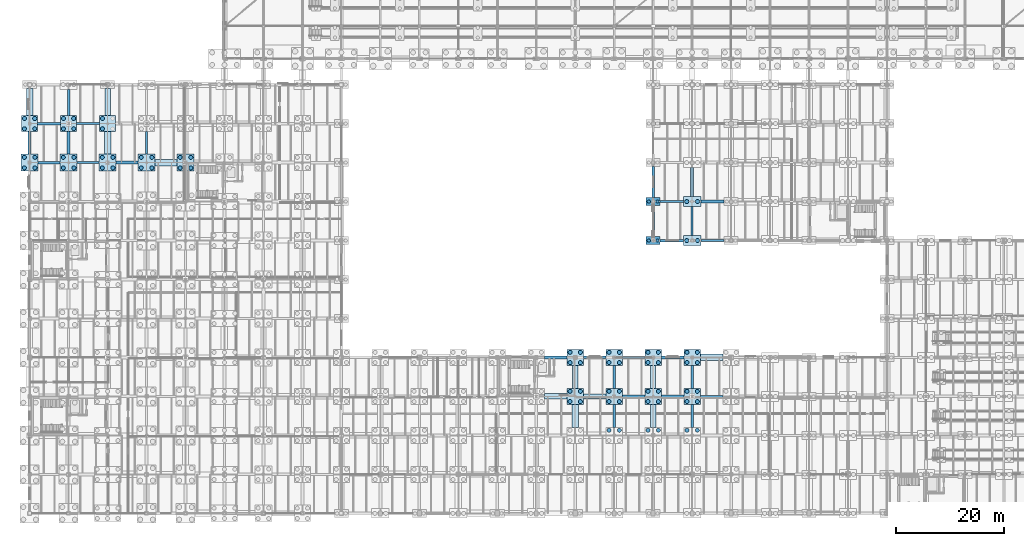
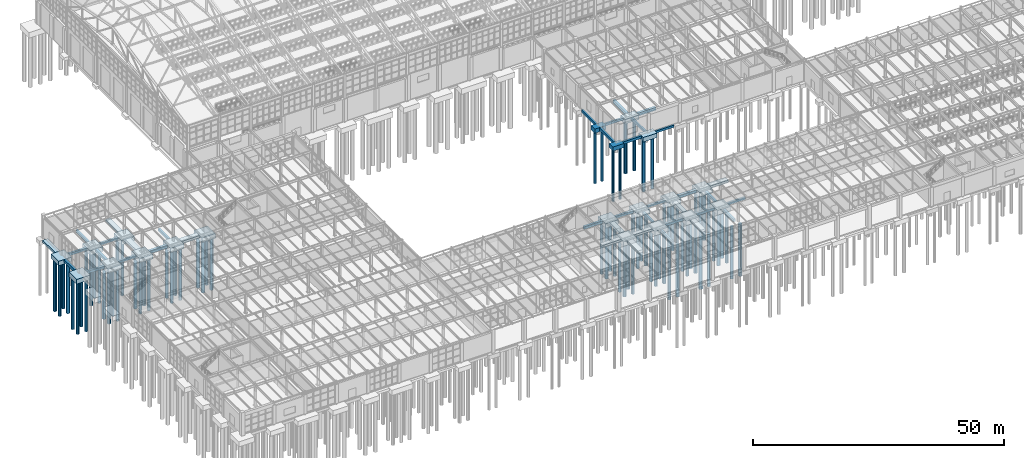
# One storey, part 6 of 293: 76 piles, 59 footings.
"""IFC4 building model written with IfcOpenShell, lengths in metres."""

from ifc_helpers import new_model, si_unit, direction, frame, origin, origin_2d, place, context, subcontext, project, spatial, rectangle, circle, extrude, material, material_profile, profile_set, type_object, element, save


model = new_model("IFC4")

# Units and contexts
model_context = context("Model", 3, precision=1e-05, world=origin(), true_north=direction((0.0, 1.0)))
body_context = subcontext(model_context, "Body", "Model", "MODEL_VIEW")
ifc_project = project(units=[si_unit("LENGTHUNIT", "METRE"), si_unit("AREAUNIT", "SQUARE_METRE"), si_unit("VOLUMEUNIT", "CUBIC_METRE"), si_unit("PLANEANGLEUNIT", "RADIAN"), si_unit("MASSUNIT", "GRAM", prefix="KILO")], contexts=[model_context])

# Site, building, storey
site_placement = place(None, origin())
site = spatial("IfcSite", under=ifc_project, at=site_placement, CompositionType="ELEMENT")
building_placement = place(site_placement, origin())
building = spatial("IfcBuilding", under=site, at=building_placement, Name="Kemerveld Promenade Tramway Depot", CompositionType="ELEMENT")
storey_placement = place(building_placement, origin())
storey = spatial("IfcBuildingStorey", under=building, at=storey_placement, Name="L00", CompositionType="ELEMENT", Elevation=0.0)

# Footings
ifc_material = material(Name="Concrete C35/45", Category="concrete")
footing_type_1 = type_object("IfcFootingType", Name="FT-GB01", PredefinedType="FOOTING_BEAM", material=ifc_material)
for number, where, z_axis, x_axis, name in (
    (1, (111.60009765625, 21.60009765625, -0.949951171875), (0.0, 0.0, 1.0), (1.0, 0.0, 0.0), "GBX-16-17-D"),
    (2, (97.199951171875, 28.800048828125, -0.949951171875), (0.0, 0.0, 1.0), (1.0, 0.0, 0.0), "GBX-14-15-E"),
):
    element("IfcFooting", number, at=place(storey_placement, frame(where, z_axis=z_axis, x_axis=x_axis)), inside=storey, type_object=footing_type_1, Name=name, PredefinedType="FOOTING_BEAM", context=body_context, shape_type="SweptSolid", body=[
        extrude(rectangle(XDim=4.199951171875, YDim=0.5, at=origin_2d()), origin(), (0.0, 0.0, 1.0), 0.64990234375),
    ])
footing_1_placement = place(storey_placement, frame((7.199951171875, 68.425048828125, -0.949951171875), z_axis=(0.0, 0.0, 1.0), x_axis=(0.0, 1.0, 0.0)))
element("IfcFooting", 3, at=footing_1_placement, inside=storey, type_object=footing_type_1, Name="GBY-02-K-L", PredefinedType="FOOTING_BEAM", context=body_context, shape_type="SweptSolid", body=[
    extrude(rectangle(XDim=4.14990234375, YDim=0.5, at=origin_2d()), origin(), (0.0, 0.0, 1.0), 0.64990234375),
])
footing_2_placement = place(storey_placement, frame((115.199951171875, 54.0, -0.949951171875), z_axis=(0.0, 0.0, 1.0), x_axis=(0.0, 1.0, 0.0)))
element("IfcFooting", 4, at=footing_2_placement, inside=storey, type_object=footing_type_1, Name="GBY-17-H-J", PredefinedType="FOOTING_BEAM", context=body_context, shape_type="SweptSolid", body=[
    extrude(rectangle(XDim=5.699951171875, YDim=0.5, at=origin_2d()), origin(), (0.0, 0.0, 1.0), 0.64990234375),
])
footing_3_placement = place(storey_placement, frame((122.39990234375, 18.0, -0.949951171875), z_axis=(0.0, 0.0, 1.0), x_axis=(0.0, 1.0, 0.0)))
element("IfcFooting", 5, at=footing_3_placement, inside=storey, type_object=footing_type_1, Name="GBY-18-C-D", PredefinedType="FOOTING_BEAM", context=body_context, shape_type="SweptSolid", body=[
    extrude(rectangle(XDim=4.199951171875, YDim=0.5, at=origin_2d()), origin(), (0.0, 0.0, 1.0), 0.64990234375),
])
footing_type_2 = type_object("IfcFootingType", Name="FT-GB02", PredefinedType="FOOTING_BEAM", material=ifc_material)
for number, where, z_axis, x_axis, name in (
    (6, (118.800048828125, 21.60009765625, -0.900146484375), (0.0, 0.0, 1.0), (1.0, 0.0, 0.0), "GBX-17-18-D"),
    (7, (104.39990234375, 28.800048828125, -0.900146484375), (0.0, 0.0, 1.0), (1.0, 0.0, 0.0), "GBX-15-16-E"),
):
    element("IfcFooting", number, at=place(storey_placement, frame(where, z_axis=z_axis, x_axis=x_axis)), inside=storey, type_object=footing_type_2, Name=name, PredefinedType="FOOTING_BEAM", context=body_context, shape_type="SweptSolid", body=[
        extrude(rectangle(XDim=4.199951171875, YDim=0.449951171875, at=origin_2d()), origin(), (0.0, 0.0, 1.0), 0.60009765625),
    ])
footing_4_placement = place(storey_placement, frame((118.64990234375, 50.39990234375, -0.900146484375), z_axis=(0.0, 0.0, 1.0), x_axis=(1.0, 0.0, 0.0)))
element("IfcFooting", 8, at=footing_4_placement, inside=storey, type_object=footing_type_2, Name="GBX-17-18-H", PredefinedType="FOOTING_BEAM", context=body_context, shape_type="SweptSolid", body=[
    extrude(rectangle(XDim=4.300048828125, YDim=0.449951171875, at=origin_2d()), origin(), (0.0, 0.0, 1.0), 0.60009765625),
])
footing_5_placement = place(storey_placement, frame((3.60009765625, 64.800048828125, -0.900146484375), z_axis=(0.0, 0.0, 1.0), x_axis=(1.0, 0.0, 0.0)))
element("IfcFooting", 9, at=footing_5_placement, inside=storey, type_object=footing_type_2, Name="GBX-01-02-K", PredefinedType="FOOTING_BEAM", context=body_context, shape_type="SweptSolid", body=[
    extrude(rectangle(XDim=4.10009765625, YDim=0.449951171875, at=origin_2d()), origin(), (0.0, 0.0, 1.0), 0.60009765625),
])
footing_6_placement = place(storey_placement, frame((3.60009765625, 72.0, -0.900146484375), z_axis=(0.0, 0.0, 1.0), x_axis=(1.0, 0.0, 0.0)))
element("IfcFooting", 10, at=footing_6_placement, inside=storey, type_object=footing_type_2, Name="GBX-01-02-L", PredefinedType="FOOTING_BEAM", context=body_context, shape_type="SweptSolid", body=[
    extrude(rectangle(XDim=4.199951171875, YDim=0.449951171875, at=origin_2d()), origin(), (0.0, 0.0, 1.0), 0.60009765625),
])
footing_7_placement = place(storey_placement, frame((7.199951171875, 75.89990234375, -0.900146484375), z_axis=(0.0, 0.0, 1.0), x_axis=(0.0, 1.0, 0.0)))
element("IfcFooting", 11, at=footing_7_placement, inside=storey, type_object=footing_type_2, Name="GBY-02-L-M", PredefinedType="FOOTING_BEAM", context=body_context, shape_type="SweptSolid", body=[
    extrude(rectangle(XDim=4.800048828125, YDim=0.449951171875, at=origin_2d()), origin(), (0.0, 0.0, 1.0), 0.60009765625),
])
footing_8_placement = place(storey_placement, frame((21.60009765625, 68.425048828125, -0.900146484375), z_axis=(0.0, 0.0, 1.0), x_axis=(0.0, 1.0, 0.0)))
element("IfcFooting", 12, at=footing_8_placement, inside=storey, type_object=footing_type_2, Name="GBY-04-K-L", PredefinedType="FOOTING_BEAM", context=body_context, shape_type="SweptSolid", body=[
    extrude(rectangle(XDim=4.14990234375, YDim=0.449951171875, at=origin_2d()), origin(), (0.0, 0.0, 1.0), 0.60009765625),
])
footing_9_placement = place(storey_placement, frame((108.0, 18.0, -0.900146484375), z_axis=(0.0, 0.0, 1.0), x_axis=(0.0, 1.0, 0.0)))
element("IfcFooting", 13, at=footing_9_placement, inside=storey, type_object=footing_type_2, Name="GBY-16-C-D", PredefinedType="FOOTING_BEAM", context=body_context, shape_type="SweptSolid", body=[
    extrude(rectangle(XDim=4.199951171875, YDim=0.449951171875, at=origin_2d()), origin(), (0.0, 0.0, 1.0), 0.60009765625),
])
footing_10_placement = place(storey_placement, frame((115.199951171875, 61.199951171875, -0.900146484375), z_axis=(0.0, 0.0, 1.0), x_axis=(0.0, 1.0, 0.0)))
element("IfcFooting", 14, at=footing_10_placement, inside=storey, type_object=footing_type_2, Name="GBY-17-J-K", PredefinedType="FOOTING_BEAM", context=body_context, shape_type="SweptSolid", body=[
    extrude(rectangle(XDim=5.699951171875, YDim=0.449951171875, at=origin_2d()), origin(), (0.0, 0.0, 1.0), 0.60009765625),
])
footing_11_placement = place(storey_placement, frame((122.39990234375, 25.199951171875, -0.900146484375), z_axis=(0.0, 0.0, 1.0), x_axis=(0.0, 1.0, 0.0)))
element("IfcFooting", 15, at=footing_11_placement, inside=storey, type_object=footing_type_2, Name="GBY-18-D-E", PredefinedType="FOOTING_BEAM", context=body_context, shape_type="SweptSolid", body=[
    extrude(rectangle(XDim=4.199951171875, YDim=0.449951171875, at=origin_2d()), origin(), (0.0, 0.0, 1.0), 0.60009765625),
])
footing_type_3 = type_object("IfcFootingType", Name="FT-GB03", PredefinedType="FOOTING_BEAM", material=ifc_material)
for number, where, z_axis, x_axis, name in (
    (16, (126.0, 21.60009765625, -0.85009765625), (0.0, 0.0, 1.0), (1.0, 0.0, 0.0), "GBX-18-19-D"),
    (17, (111.60009765625, 28.800048828125, -0.85009765625), (0.0, 0.0, 1.0), (1.0, 0.0, 0.0), "GBX-16-17-E"),
):
    element("IfcFooting", number, at=place(storey_placement, frame(where, z_axis=z_axis, x_axis=x_axis)), inside=storey, type_object=footing_type_3, Name=name, PredefinedType="FOOTING_BEAM", context=body_context, shape_type="SweptSolid", body=[
        extrude(rectangle(XDim=4.199951171875, YDim=0.39990234375, at=origin_2d()), origin(), (0.0, 0.0, 1.0), 0.550048828125),
    ])
for number, where, z_axis, x_axis, name in (
    (18, (126.14990234375, 50.39990234375, -0.85009765625), (0.0, 0.0, 1.0), (1.0, 0.0, 0.0), "GBX-18-19-H"),
    (19, (118.64990234375, 57.60009765625, -0.85009765625), (0.0, 0.0, 1.0), (1.0, 0.0, 0.0), "GBX-17-18-J"),
):
    element("IfcFooting", number, at=place(storey_placement, frame(where, z_axis=z_axis, x_axis=x_axis)), inside=storey, type_object=footing_type_3, Name=name, PredefinedType="FOOTING_BEAM", context=body_context, shape_type="SweptSolid", body=[
        extrude(rectangle(XDim=4.300048828125, YDim=0.39990234375, at=origin_2d()), origin(), (0.0, 0.0, 1.0), 0.550048828125),
    ])
footing_12_placement = place(storey_placement, frame((10.800048828125, 64.800048828125, -0.85009765625), z_axis=(0.0, 0.0, 1.0), x_axis=(1.0, 0.0, 0.0)))
element("IfcFooting", 20, at=footing_12_placement, inside=storey, type_object=footing_type_3, Name="GBX-02-03-K", PredefinedType="FOOTING_BEAM", context=body_context, shape_type="SweptSolid", body=[
    extrude(rectangle(XDim=4.10009765625, YDim=0.39990234375, at=origin_2d()), origin(), (0.0, 0.0, 1.0), 0.550048828125),
])
for number, where, z_axis, x_axis, name in (
    (21, (10.800048828125, 72.0, -0.85009765625), (0.0, 0.0, 1.0), (1.0, 0.0, 0.0), "GBX-02-03-L"),
    (22, (108.0, 25.199951171875, -0.85009765625), (0.0, 0.0, 1.0), (0.0, 1.0, 0.0), "GBY-16-D-E"),
):
    element("IfcFooting", number, at=place(storey_placement, frame(where, z_axis=z_axis, x_axis=x_axis)), inside=storey, type_object=footing_type_3, Name=name, PredefinedType="FOOTING_BEAM", context=body_context, shape_type="SweptSolid", body=[
        extrude(rectangle(XDim=4.199951171875, YDim=0.39990234375, at=origin_2d()), origin(), (0.0, 0.0, 1.0), 0.550048828125),
    ])
footing_13_placement = place(storey_placement, frame((122.39990234375, 54.0, -0.85009765625), z_axis=(0.0, 0.0, 1.0), x_axis=(0.0, 1.0, 0.0)))
element("IfcFooting", 23, at=footing_13_placement, inside=storey, type_object=footing_type_3, Name="GBY-18-H-J", PredefinedType="FOOTING_BEAM", context=body_context, shape_type="SweptSolid", body=[
    extrude(rectangle(XDim=5.39990234375, YDim=0.39990234375, at=origin_2d()), origin(), (0.0, 0.0, 1.0), 0.550048828125),
])
footing_type_4 = type_object("IfcFootingType", Name="FT-GB04", PredefinedType="FOOTING_BEAM", material=ifc_material)
footing_14_placement = place(storey_placement, frame((118.800048828125, 28.800048828125, -1.0), z_axis=(0.0, 0.0, 1.0), x_axis=(1.0, 0.0, 0.0)))
element("IfcFooting", 24, at=footing_14_placement, inside=storey, type_object=footing_type_4, Name="GBX-17-18-E", PredefinedType="FOOTING_BEAM", context=body_context, shape_type="SweptSolid", body=[
    extrude(rectangle(XDim=4.199951171875, YDim=0.550048828125, at=origin_2d()), origin(), (0.0, 0.0, 1.0), 0.699951171875),
])
footing_15_placement = place(storey_placement, frame((126.14990234375, 57.60009765625, -1.0), z_axis=(0.0, 0.0, 1.0), x_axis=(1.0, 0.0, 0.0)))
element("IfcFooting", 25, at=footing_15_placement, inside=storey, type_object=footing_type_4, Name="GBX-18-19-J", PredefinedType="FOOTING_BEAM", context=body_context, shape_type="SweptSolid", body=[
    extrude(rectangle(XDim=4.300048828125, YDim=0.550048828125, at=origin_2d()), origin(), (0.0, 0.0, 1.0), 0.699951171875),
])
footing_16_placement = place(storey_placement, frame((18.0, 64.800048828125, -1.0), z_axis=(0.0, 0.0, 1.0), x_axis=(1.0, 0.0, 0.0)))
element("IfcFooting", 26, at=footing_16_placement, inside=storey, type_object=footing_type_4, Name="GBX-03-04-K", PredefinedType="FOOTING_BEAM", context=body_context, shape_type="SweptSolid", body=[
    extrude(rectangle(XDim=4.10009765625, YDim=0.550048828125, at=origin_2d()), origin(), (0.0, 0.0, 1.0), 0.699951171875),
])
footing_17_placement = place(storey_placement, frame((0.0, 68.425048828125, -1.0), z_axis=(0.0, 0.0, 1.0), x_axis=(0.0, 1.0, 0.0)))
element("IfcFooting", 27, at=footing_17_placement, inside=storey, type_object=footing_type_4, Name="GBY-01-K-L", PredefinedType="FOOTING_BEAM", context=body_context, shape_type="SweptSolid", body=[
    extrude(rectangle(XDim=4.14990234375, YDim=0.550048828125, at=origin_2d()), origin(), (0.0, 0.0, 1.0), 0.699951171875),
])
footing_18_placement = place(storey_placement, frame((122.39990234375, 61.199951171875, -1.0), z_axis=(0.0, 0.0, 1.0), x_axis=(0.0, 1.0, 0.0)))
element("IfcFooting", 28, at=footing_18_placement, inside=storey, type_object=footing_type_4, Name="GBY-18-J-K", PredefinedType="FOOTING_BEAM", context=body_context, shape_type="SweptSolid", body=[
    extrude(rectangle(XDim=5.39990234375, YDim=0.550048828125, at=origin_2d()), origin(), (0.0, 0.0, 1.0), 0.699951171875),
])
footing_type_5 = type_object("IfcFootingType", Name="FT-PC04", PredefinedType="PILE_CAP", material=ifc_material)
for number, where, z_axis, x_axis, name in (
    (29, (0.0, 64.800048828125, -1.449951171875), (0.0, 0.0, 1.0), (1.0, 0.0, 0.0), "FT-01-K"),
    (30, (7.199951171875, 64.800048828125, -1.449951171875), (0.0, 0.0, 1.0), (1.0, 0.0, 0.0), "FT-02-K"),
    (31, (14.39990234375, 64.800048828125, -1.449951171875), (0.0, 0.0, 1.0), (1.0, 0.0, 0.0), "FT-03-K"),
    (32, (21.60009765625, 64.800048828125, -1.449951171875), (0.0, 0.0, 1.0), (1.0, 0.0, 0.0), "FT-04-K"),
    (33, (28.800048828125, 64.800048828125, -1.449951171875), (0.0, 0.0, 1.0), (1.0, 0.0, 0.0), "FT-05-K"),
):
    element("IfcFooting", number, at=place(storey_placement, frame(where, z_axis=z_axis, x_axis=x_axis)), inside=storey, type_object=footing_type_5, Name=name, PredefinedType="PILE_CAP", context=body_context, shape_type="SweptSolid", body=[
        extrude(rectangle(XDim=3.10009765625, YDim=3.10009765625, at=origin_2d()), origin(), (0.0, 0.0, 1.0), 1.14990234375),
    ])
footing_type_6 = type_object("IfcFootingType", Name="FT-PC05", PredefinedType="PILE_CAP", material=ifc_material)
for number, where, z_axis, x_axis, name in (
    (34, (0.0, 72.0, -1.400146484375), (0.0, 0.0, 1.0), (1.0, 0.0, 0.0), "FT-01-L"),
    (35, (7.199951171875, 72.0, -1.400146484375), (0.0, 0.0, 1.0), (1.0, 0.0, 0.0), "FT-02-L"),
    (36, (14.39990234375, 72.0, -1.400146484375), (0.0, 0.0, 1.0), (1.0, 0.0, 0.0), "FT-03-L"),
    (37, (100.800048828125, 21.60009765625, -1.400146484375), (0.0, 0.0, 1.0), (1.0, 0.0, 0.0), "FT-15-D"),
    (38, (100.800048828125, 28.800048828125, -1.400146484375), (0.0, 0.0, 1.0), (1.0, 0.0, 0.0), "FT-15-E"),
    (39, (108.0, 21.60009765625, -1.400146484375), (0.0, 0.0, 1.0), (1.0, 0.0, 0.0), "FT-16-D"),
    (40, (108.0, 28.800048828125, -1.400146484375), (0.0, 0.0, 1.0), (1.0, 0.0, 0.0), "FT-16-E"),
    (41, (115.199951171875, 21.60009765625, -1.400146484375), (0.0, 0.0, 1.0), (1.0, 0.0, 0.0), "FT-17-D"),
    (42, (115.199951171875, 28.800048828125, -1.400146484375), (0.0, 0.0, 1.0), (1.0, 0.0, 0.0), "FT-17-E"),
    (43, (122.39990234375, 21.60009765625, -1.400146484375), (0.0, 0.0, 1.0), (1.0, 0.0, 0.0), "FT-18-D"),
    (44, (122.39990234375, 28.800048828125, -1.400146484375), (0.0, 0.0, 1.0), (1.0, 0.0, 0.0), "FT-18-E"),
):
    element("IfcFooting", number, at=place(storey_placement, frame(where, z_axis=z_axis, x_axis=x_axis)), inside=storey, type_object=footing_type_6, Name=name, PredefinedType="PILE_CAP", context=body_context, shape_type="SweptSolid", body=[
        extrude(rectangle(XDim=3.0, YDim=3.0, at=origin_2d()), origin(), (0.0, 0.0, 1.0), 1.10009765625),
    ])
footing_type_7 = type_object("IfcFootingType", Name="FT-PC06", PredefinedType="PILE_CAP", material=ifc_material)
for number, where, z_axis, x_axis, name in (
    (45, (122.39990234375, 50.39990234375, -1.400146484375), (0.0, 0.0, 1.0), (1.0, 0.0, 0.0), "FT-18-H"),
    (46, (122.39990234375, 57.60009765625, -1.400146484375), (0.0, 0.0, 1.0), (1.0, 0.0, 0.0), "FT-18-J"),
):
    element("IfcFooting", number, at=place(storey_placement, frame(where, z_axis=z_axis, x_axis=x_axis)), inside=storey, type_object=footing_type_7, Name=name, PredefinedType="PILE_CAP", context=body_context, shape_type="SweptSolid", body=[
        extrude(rectangle(XDim=3.199951171875, YDim=1.800048828125, at=origin_2d()), origin(), (0.0, 0.0, 1.0), 1.10009765625),
    ])
footing_type_8 = type_object("IfcFootingType", Name="FT-PC08", PredefinedType="PILE_CAP", material=ifc_material)
for number, where, z_axis, x_axis, name in (
    (47, (115.199951171875, 50.39990234375, -1.300048828125), (0.0, 0.0, 1.0), (1.0, 0.0, 0.0), "FT-17-H"),
    (48, (115.199951171875, 57.60009765625, -1.300048828125), (0.0, 0.0, 1.0), (1.0, 0.0, 0.0), "FT-17-J"),
):
    element("IfcFooting", number, at=place(storey_placement, frame(where, z_axis=z_axis, x_axis=x_axis)), inside=storey, type_object=footing_type_8, Name=name, PredefinedType="PILE_CAP", context=body_context, shape_type="SweptSolid", body=[
        extrude(rectangle(XDim=2.60009765625, YDim=1.5, at=origin_2d()), origin(), (0.0, 0.0, 1.0), 1.0),
    ])
footing_type_9 = type_object("IfcFootingType", Name="FT-SF01", PredefinedType="STRIP_FOOTING", material=ifc_material)
footing_19_placement = place(storey_placement, frame((126.0, 28.800048828125, -0.900146484375), z_axis=(0.0, 0.0, 1.0), x_axis=(1.0, 0.0, 0.0)))
element("IfcFooting", 49, at=footing_19_placement, inside=storey, type_object=footing_type_9, Name="GBX-18-19-E", PredefinedType="STRIP_FOOTING", context=body_context, shape_type="SweptSolid", body=[
    extrude(rectangle(XDim=4.199951171875, YDim=1.199951171875, at=origin_2d()), origin(), (0.0, 0.0, 1.0), 0.60009765625),
])
footing_20_placement = place(storey_placement, frame((25.199951171875, 64.800048828125, -0.900146484375), z_axis=(0.0, 0.0, 1.0), x_axis=(1.0, 0.0, 0.0)))
element("IfcFooting", 50, at=footing_20_placement, inside=storey, type_object=footing_type_9, Name="GBX-04-05-K", PredefinedType="STRIP_FOOTING", context=body_context, shape_type="SweptSolid", body=[
    extrude(rectangle(XDim=4.10009765625, YDim=1.199951171875, at=origin_2d()), origin(), (0.0, 0.0, 1.0), 0.60009765625),
])
footing_21_placement = place(storey_placement, frame((0.0, 75.97509765625, -0.900146484375), z_axis=(0.0, 0.0, 1.0), x_axis=(0.0, 1.0, 0.0)))
element("IfcFooting", 51, at=footing_21_placement, inside=storey, type_object=footing_type_9, Name="GBY-01-L-M", PredefinedType="STRIP_FOOTING", context=body_context, shape_type="SweptSolid", body=[
    extrude(rectangle(XDim=4.949951171875, YDim=1.199951171875, at=origin_2d()), origin(), (0.0, 0.0, 1.0), 0.60009765625),
])
footing_22_placement = place(storey_placement, frame((14.39990234375, 68.425048828125, -0.900146484375), z_axis=(0.0, 0.0, 1.0), x_axis=(0.0, 1.0, 0.0)))
element("IfcFooting", 52, at=footing_22_placement, inside=storey, type_object=footing_type_9, Name="GBY-03-K-L", PredefinedType="STRIP_FOOTING", context=body_context, shape_type="SweptSolid", body=[
    extrude(rectangle(XDim=4.14990234375, YDim=1.199951171875, at=origin_2d()), origin(), (0.0, 0.0, 1.0), 0.60009765625),
])
footing_23_placement = place(storey_placement, frame((100.800048828125, 18.0, -0.900146484375), z_axis=(0.0, 0.0, 1.0), x_axis=(0.0, 1.0, 0.0)))
element("IfcFooting", 53, at=footing_23_placement, inside=storey, type_object=footing_type_9, Name="GBY-15-C-D", PredefinedType="STRIP_FOOTING", context=body_context, shape_type="SweptSolid", body=[
    extrude(rectangle(XDim=4.199951171875, YDim=1.199951171875, at=origin_2d()), origin(), (0.0, 0.0, 1.0), 0.60009765625),
])
footing_type_10 = type_object("IfcFootingType", Name="FT-SF02", PredefinedType="STRIP_FOOTING", material=ifc_material)
footing_24_placement = place(storey_placement, frame((97.199951171875, 21.60009765625, -0.85009765625), z_axis=(0.0, 0.0, 1.0), x_axis=(1.0, 0.0, 0.0)))
element("IfcFooting", 54, at=footing_24_placement, inside=storey, type_object=footing_type_10, Name="GBX-14-15-D", PredefinedType="STRIP_FOOTING", context=body_context, shape_type="SweptSolid", body=[
    extrude(rectangle(XDim=4.199951171875, YDim=1.0, at=origin_2d()), origin(), (0.0, 0.0, 1.0), 0.550048828125),
])
footing_25_placement = place(storey_placement, frame((14.39990234375, 75.97509765625, -0.85009765625), z_axis=(0.0, 0.0, 1.0), x_axis=(0.0, 1.0, 0.0)))
element("IfcFooting", 55, at=footing_25_placement, inside=storey, type_object=footing_type_10, Name="GBY-03-L-M", PredefinedType="STRIP_FOOTING", context=body_context, shape_type="SweptSolid", body=[
    extrude(rectangle(XDim=4.949951171875, YDim=1.0, at=origin_2d()), origin(), (0.0, 0.0, 1.0), 0.550048828125),
])
for number, where, z_axis, x_axis, name in (
    (56, (100.800048828125, 25.199951171875, -0.85009765625), (0.0, 0.0, 1.0), (0.0, 1.0, 0.0), "GBY-15-D-E"),
    (57, (115.199951171875, 18.0, -0.85009765625), (0.0, 0.0, 1.0), (0.0, 1.0, 0.0), "GBY-17-C-D"),
):
    element("IfcFooting", number, at=place(storey_placement, frame(where, z_axis=z_axis, x_axis=x_axis)), inside=storey, type_object=footing_type_10, Name=name, PredefinedType="STRIP_FOOTING", context=body_context, shape_type="SweptSolid", body=[
        extrude(rectangle(XDim=4.199951171875, YDim=1.0, at=origin_2d()), origin(), (0.0, 0.0, 1.0), 0.550048828125),
    ])
footing_type_11 = type_object("IfcFootingType", Name="FT-SF03", PredefinedType="STRIP_FOOTING", material=ifc_material)
for number, where, z_axis, x_axis, name in (
    (58, (104.39990234375, 21.60009765625, -0.800048828125), (0.0, 0.0, 1.0), (1.0, 0.0, 0.0), "GBX-15-16-D"),
    (59, (115.199951171875, 25.199951171875, -0.800048828125), (0.0, 0.0, 1.0), (0.0, 1.0, 0.0), "GBY-17-D-E"),
):
    element("IfcFooting", number, at=place(storey_placement, frame(where, z_axis=z_axis, x_axis=x_axis)), inside=storey, type_object=footing_type_11, Name=name, PredefinedType="STRIP_FOOTING", context=body_context, shape_type="SweptSolid", body=[
        extrude(rectangle(XDim=4.199951171875, YDim=0.89990234375, at=origin_2d()), origin(), (0.0, 0.0, 1.0), 0.5),
    ])

# Piles
ifc_material_profile_1 = material_profile(ifc_material, circle(Radius=0.300048828125, at=origin_2d()), Name="PILE-D600")
ifc_profile_set_1 = profile_set([ifc_material_profile_1], Name="Concrete C35/45")
pile_type_1 = type_object("IfcPileType", Name="PL-BOR-600", PredefinedType="BORED", material=ifc_profile_set_1)
for number, where, z_axis, x_axis, name in (
    (60, (114.39990234375, 50.39990234375, -1.199951171875), (0.0, 0.0, -1.0), (1.0, 0.0, 0.0), "PIL-17-H-1"),
    (61, (116.0, 50.39990234375, -1.199951171875), (0.0, 0.0, -1.0), (1.0, 0.0, 0.0), "PIL-17-H-2"),
    (62, (114.39990234375, 57.60009765625, -1.199951171875), (0.0, 0.0, -1.0), (1.0, 0.0, 0.0), "PIL-17-J-1"),
    (63, (116.0, 57.60009765625, -1.199951171875), (0.0, 0.0, -1.0), (1.0, 0.0, 0.0), "PIL-17-J-2"),
):
    element("IfcPile", number, at=place(storey_placement, frame(where, z_axis=z_axis, x_axis=x_axis)), inside=storey, type_object=pile_type_1, Name=name, PredefinedType="BORED", context=body_context, shape_type="SweptSolid", body=[
        extrude(circle(Radius=0.300048828125, at=origin_2d()), origin(), (0.0, 0.0, 1.0), 12.800048828125),
    ])
ifc_material_profile_2 = material_profile(ifc_material, circle(Radius=0.375, at=origin_2d()), Name="PILE-D750")
ifc_profile_set_2 = profile_set([ifc_material_profile_2], Name="Concrete C35/45")
pile_type_2 = type_object("IfcPileType", Name="PL-BOR-750", PredefinedType="BORED", material=ifc_profile_set_2)
for number, where, z_axis, x_axis, name in (
    (64, (-0.97509765625, 63.824951171875, -1.35009765625), (0.0, 0.0, -1.0), (1.0, 0.0, 0.0), "PIL-01-K-1"),
    (65, (0.97509765625, 63.824951171875, -1.35009765625), (0.0, 0.0, -1.0), (1.0, 0.0, 0.0), "PIL-01-K-2"),
    (66, (-0.97509765625, 65.77490234375, -1.35009765625), (0.0, 0.0, -1.0), (1.0, 0.0, 0.0), "PIL-01-K-3"),
    (67, (0.97509765625, 65.77490234375, -1.35009765625), (0.0, 0.0, -1.0), (1.0, 0.0, 0.0), "PIL-01-K-4"),
):
    element("IfcPile", number, at=place(storey_placement, frame(where, z_axis=z_axis, x_axis=x_axis)), inside=storey, type_object=pile_type_2, Name=name, PredefinedType="BORED", context=body_context, shape_type="SweptSolid", body=[
        extrude(circle(Radius=0.375, at=origin_2d()), origin(), (0.0, 0.0, 1.0), 12.64990234375),
    ])
for number, where, z_axis, x_axis, name in (
    (68, (-0.949951171875, 71.050048828125, -1.300048828125), (0.0, 0.0, -1.0), (1.0, 0.0, 0.0), "PIL-01-L-1"),
    (69, (0.949951171875, 71.050048828125, -1.300048828125), (0.0, 0.0, -1.0), (1.0, 0.0, 0.0), "PIL-01-L-2"),
    (70, (-0.949951171875, 72.949951171875, -1.300048828125), (0.0, 0.0, -1.0), (1.0, 0.0, 0.0), "PIL-01-L-3"),
    (71, (0.949951171875, 72.949951171875, -1.300048828125), (0.0, 0.0, -1.0), (1.0, 0.0, 0.0), "PIL-01-L-4"),
):
    element("IfcPile", number, at=place(storey_placement, frame(where, z_axis=z_axis, x_axis=x_axis)), inside=storey, type_object=pile_type_2, Name=name, PredefinedType="BORED", context=body_context, shape_type="SweptSolid", body=[
        extrude(circle(Radius=0.375, at=origin_2d()), origin(), (0.0, 0.0, 1.0), 12.699951171875),
    ])
for number, where, z_axis, x_axis, name in (
    (72, (6.22509765625, 63.824951171875, -1.35009765625), (0.0, 0.0, -1.0), (1.0, 0.0, 0.0), "PIL-02-K-1"),
    (73, (8.175048828125, 63.824951171875, -1.35009765625), (0.0, 0.0, -1.0), (1.0, 0.0, 0.0), "PIL-02-K-2"),
    (74, (6.22509765625, 65.77490234375, -1.35009765625), (0.0, 0.0, -1.0), (1.0, 0.0, 0.0), "PIL-02-K-3"),
    (75, (8.175048828125, 65.77490234375, -1.35009765625), (0.0, 0.0, -1.0), (1.0, 0.0, 0.0), "PIL-02-K-4"),
):
    element("IfcPile", number, at=place(storey_placement, frame(where, z_axis=z_axis, x_axis=x_axis)), inside=storey, type_object=pile_type_2, Name=name, PredefinedType="BORED", context=body_context, shape_type="SweptSolid", body=[
        extrude(circle(Radius=0.375, at=origin_2d()), origin(), (0.0, 0.0, 1.0), 12.64990234375),
    ])
for number, where, z_axis, x_axis, name in (
    (76, (6.25, 71.050048828125, -1.300048828125), (0.0, 0.0, -1.0), (1.0, 0.0, 0.0), "PIL-02-L-1"),
    (77, (8.14990234375, 71.050048828125, -1.300048828125), (0.0, 0.0, -1.0), (1.0, 0.0, 0.0), "PIL-02-L-2"),
    (78, (6.25, 72.949951171875, -1.300048828125), (0.0, 0.0, -1.0), (1.0, 0.0, 0.0), "PIL-02-L-3"),
    (79, (8.14990234375, 72.949951171875, -1.300048828125), (0.0, 0.0, -1.0), (1.0, 0.0, 0.0), "PIL-02-L-4"),
):
    element("IfcPile", number, at=place(storey_placement, frame(where, z_axis=z_axis, x_axis=x_axis)), inside=storey, type_object=pile_type_2, Name=name, PredefinedType="BORED", context=body_context, shape_type="SweptSolid", body=[
        extrude(circle(Radius=0.375, at=origin_2d()), origin(), (0.0, 0.0, 1.0), 12.699951171875),
    ])
for number, where, z_axis, x_axis, name in (
    (80, (13.425048828125, 63.824951171875, -1.35009765625), (0.0, 0.0, -1.0), (1.0, 0.0, 0.0), "PIL-03-K-1"),
    (81, (15.375, 63.824951171875, -1.35009765625), (0.0, 0.0, -1.0), (1.0, 0.0, 0.0), "PIL-03-K-2"),
    (82, (13.425048828125, 65.77490234375, -1.35009765625), (0.0, 0.0, -1.0), (1.0, 0.0, 0.0), "PIL-03-K-3"),
    (83, (15.375, 65.77490234375, -1.35009765625), (0.0, 0.0, -1.0), (1.0, 0.0, 0.0), "PIL-03-K-4"),
):
    element("IfcPile", number, at=place(storey_placement, frame(where, z_axis=z_axis, x_axis=x_axis)), inside=storey, type_object=pile_type_2, Name=name, PredefinedType="BORED", context=body_context, shape_type="SweptSolid", body=[
        extrude(circle(Radius=0.375, at=origin_2d()), origin(), (0.0, 0.0, 1.0), 12.64990234375),
    ])
for number, where, z_axis, x_axis, name in (
    (84, (13.449951171875, 71.050048828125, -1.300048828125), (0.0, 0.0, -1.0), (1.0, 0.0, 0.0), "PIL-03-L-1"),
    (85, (13.449951171875, 72.949951171875, -1.300048828125), (0.0, 0.0, -1.0), (1.0, 0.0, 0.0), "PIL-03-L-3"),
):
    element("IfcPile", number, at=place(storey_placement, frame(where, z_axis=z_axis, x_axis=x_axis)), inside=storey, type_object=pile_type_2, Name=name, PredefinedType="BORED", context=body_context, shape_type="SweptSolid", body=[
        extrude(circle(Radius=0.375, at=origin_2d()), origin(), (0.0, 0.0, 1.0), 12.699951171875),
    ])
for number, where, z_axis, x_axis, name in (
    (86, (20.625, 63.824951171875, -1.35009765625), (0.0, 0.0, -1.0), (1.0, 0.0, 0.0), "PIL-04-K-1"),
    (87, (22.574951171875, 63.824951171875, -1.35009765625), (0.0, 0.0, -1.0), (1.0, 0.0, 0.0), "PIL-04-K-2"),
    (88, (20.625, 65.77490234375, -1.35009765625), (0.0, 0.0, -1.0), (1.0, 0.0, 0.0), "PIL-04-K-3"),
    (89, (22.574951171875, 65.77490234375, -1.35009765625), (0.0, 0.0, -1.0), (1.0, 0.0, 0.0), "PIL-04-K-4"),
    (90, (27.824951171875, 63.824951171875, -1.35009765625), (0.0, 0.0, -1.0), (1.0, 0.0, 0.0), "PIL-05-K-1"),
    (91, (29.77490234375, 63.824951171875, -1.35009765625), (0.0, 0.0, -1.0), (1.0, 0.0, 0.0), "PIL-05-K-2"),
    (92, (27.824951171875, 65.77490234375, -1.35009765625), (0.0, 0.0, -1.0), (1.0, 0.0, 0.0), "PIL-05-K-3"),
    (93, (29.77490234375, 65.77490234375, -1.35009765625), (0.0, 0.0, -1.0), (1.0, 0.0, 0.0), "PIL-05-K-4"),
):
    element("IfcPile", number, at=place(storey_placement, frame(where, z_axis=z_axis, x_axis=x_axis)), inside=storey, type_object=pile_type_2, Name=name, PredefinedType="BORED", context=body_context, shape_type="SweptSolid", body=[
        extrude(circle(Radius=0.375, at=origin_2d()), origin(), (0.0, 0.0, 1.0), 12.64990234375),
    ])
for number, where, z_axis, x_axis, name in (
    (94, (99.85009765625, 20.64990234375, -1.300048828125), (0.0, 0.0, -1.0), (1.0, 0.0, 0.0), "PIL-15-D-1"),
    (95, (101.75, 20.64990234375, -1.300048828125), (0.0, 0.0, -1.0), (1.0, 0.0, 0.0), "PIL-15-D-2"),
    (96, (99.85009765625, 22.550048828125, -1.300048828125), (0.0, 0.0, -1.0), (1.0, 0.0, 0.0), "PIL-15-D-3"),
    (97, (101.75, 22.550048828125, -1.300048828125), (0.0, 0.0, -1.0), (1.0, 0.0, 0.0), "PIL-15-D-4"),
    (98, (99.85009765625, 27.85009765625, -1.300048828125), (0.0, 0.0, -1.0), (1.0, 0.0, 0.0), "PIL-15-E-1"),
    (99, (101.75, 27.85009765625, -1.300048828125), (0.0, 0.0, -1.0), (1.0, 0.0, 0.0), "PIL-15-E-2"),
    (100, (99.85009765625, 29.75, -1.300048828125), (0.0, 0.0, -1.0), (1.0, 0.0, 0.0), "PIL-15-E-3"),
    (101, (101.75, 29.75, -1.300048828125), (0.0, 0.0, -1.0), (1.0, 0.0, 0.0), "PIL-15-E-4"),
    (102, (107.050048828125, 15.35009765625, -1.300048828125), (0.0, 0.0, -1.0), (1.0, 0.0, 0.0), "PIL-16-C-3"),
    (103, (108.949951171875, 15.35009765625, -1.300048828125), (0.0, 0.0, -1.0), (1.0, 0.0, 0.0), "PIL-16-C-4"),
    (104, (107.050048828125, 20.64990234375, -1.300048828125), (0.0, 0.0, -1.0), (1.0, 0.0, 0.0), "PIL-16-D-1"),
    (105, (108.949951171875, 20.64990234375, -1.300048828125), (0.0, 0.0, -1.0), (1.0, 0.0, 0.0), "PIL-16-D-2"),
    (106, (107.050048828125, 22.550048828125, -1.300048828125), (0.0, 0.0, -1.0), (1.0, 0.0, 0.0), "PIL-16-D-3"),
    (107, (108.949951171875, 22.550048828125, -1.300048828125), (0.0, 0.0, -1.0), (1.0, 0.0, 0.0), "PIL-16-D-4"),
    (108, (107.050048828125, 27.85009765625, -1.300048828125), (0.0, 0.0, -1.0), (1.0, 0.0, 0.0), "PIL-16-E-1"),
    (109, (108.949951171875, 27.85009765625, -1.300048828125), (0.0, 0.0, -1.0), (1.0, 0.0, 0.0), "PIL-16-E-2"),
    (110, (107.050048828125, 29.75, -1.300048828125), (0.0, 0.0, -1.0), (1.0, 0.0, 0.0), "PIL-16-E-3"),
    (111, (108.949951171875, 29.75, -1.300048828125), (0.0, 0.0, -1.0), (1.0, 0.0, 0.0), "PIL-16-E-4"),
    (112, (114.25, 15.35009765625, -1.300048828125), (0.0, 0.0, -1.0), (1.0, 0.0, 0.0), "PIL-17-C-3"),
    (113, (116.14990234375, 15.35009765625, -1.300048828125), (0.0, 0.0, -1.0), (1.0, 0.0, 0.0), "PIL-17-C-4"),
    (114, (114.25, 20.64990234375, -1.300048828125), (0.0, 0.0, -1.0), (1.0, 0.0, 0.0), "PIL-17-D-1"),
    (115, (116.14990234375, 20.64990234375, -1.300048828125), (0.0, 0.0, -1.0), (1.0, 0.0, 0.0), "PIL-17-D-2"),
    (116, (114.25, 22.550048828125, -1.300048828125), (0.0, 0.0, -1.0), (1.0, 0.0, 0.0), "PIL-17-D-3"),
    (117, (116.14990234375, 22.550048828125, -1.300048828125), (0.0, 0.0, -1.0), (1.0, 0.0, 0.0), "PIL-17-D-4"),
    (118, (114.25, 27.85009765625, -1.300048828125), (0.0, 0.0, -1.0), (1.0, 0.0, 0.0), "PIL-17-E-1"),
    (119, (116.14990234375, 27.85009765625, -1.300048828125), (0.0, 0.0, -1.0), (1.0, 0.0, 0.0), "PIL-17-E-2"),
    (120, (114.25, 29.75, -1.300048828125), (0.0, 0.0, -1.0), (1.0, 0.0, 0.0), "PIL-17-E-3"),
    (121, (116.14990234375, 29.75, -1.300048828125), (0.0, 0.0, -1.0), (1.0, 0.0, 0.0), "PIL-17-E-4"),
    (122, (121.449951171875, 15.35009765625, -1.300048828125), (0.0, 0.0, -1.0), (1.0, 0.0, 0.0), "PIL-18-C-3"),
    (123, (123.35009765625, 15.35009765625, -1.300048828125), (0.0, 0.0, -1.0), (1.0, 0.0, 0.0), "PIL-18-C-4"),
    (124, (121.449951171875, 20.64990234375, -1.300048828125), (0.0, 0.0, -1.0), (1.0, 0.0, 0.0), "PIL-18-D-1"),
    (125, (123.35009765625, 20.64990234375, -1.300048828125), (0.0, 0.0, -1.0), (1.0, 0.0, 0.0), "PIL-18-D-2"),
    (126, (121.449951171875, 22.550048828125, -1.300048828125), (0.0, 0.0, -1.0), (1.0, 0.0, 0.0), "PIL-18-D-3"),
    (127, (123.35009765625, 22.550048828125, -1.300048828125), (0.0, 0.0, -1.0), (1.0, 0.0, 0.0), "PIL-18-D-4"),
    (128, (121.449951171875, 27.85009765625, -1.300048828125), (0.0, 0.0, -1.0), (1.0, 0.0, 0.0), "PIL-18-E-1"),
    (129, (123.35009765625, 27.85009765625, -1.300048828125), (0.0, 0.0, -1.0), (1.0, 0.0, 0.0), "PIL-18-E-2"),
    (130, (121.449951171875, 29.75, -1.300048828125), (0.0, 0.0, -1.0), (1.0, 0.0, 0.0), "PIL-18-E-3"),
    (131, (123.35009765625, 29.75, -1.300048828125), (0.0, 0.0, -1.0), (1.0, 0.0, 0.0), "PIL-18-E-4"),
    (132, (121.39990234375, 50.39990234375, -1.300048828125), (0.0, 0.0, -1.0), (1.0, 0.0, 0.0), "PIL-18-H-1"),
    (133, (123.39990234375, 50.39990234375, -1.300048828125), (0.0, 0.0, -1.0), (1.0, 0.0, 0.0), "PIL-18-H-2"),
    (134, (121.39990234375, 57.60009765625, -1.300048828125), (0.0, 0.0, -1.0), (1.0, 0.0, 0.0), "PIL-18-J-1"),
    (135, (123.39990234375, 57.60009765625, -1.300048828125), (0.0, 0.0, -1.0), (1.0, 0.0, 0.0), "PIL-18-J-2"),
):
    element("IfcPile", number, at=place(storey_placement, frame(where, z_axis=z_axis, x_axis=x_axis)), inside=storey, type_object=pile_type_2, Name=name, PredefinedType="BORED", context=body_context, shape_type="SweptSolid", body=[
        extrude(circle(Radius=0.375, at=origin_2d()), origin(), (0.0, 0.0, 1.0), 12.699951171875),
    ])

save(model, "model.ifc")
